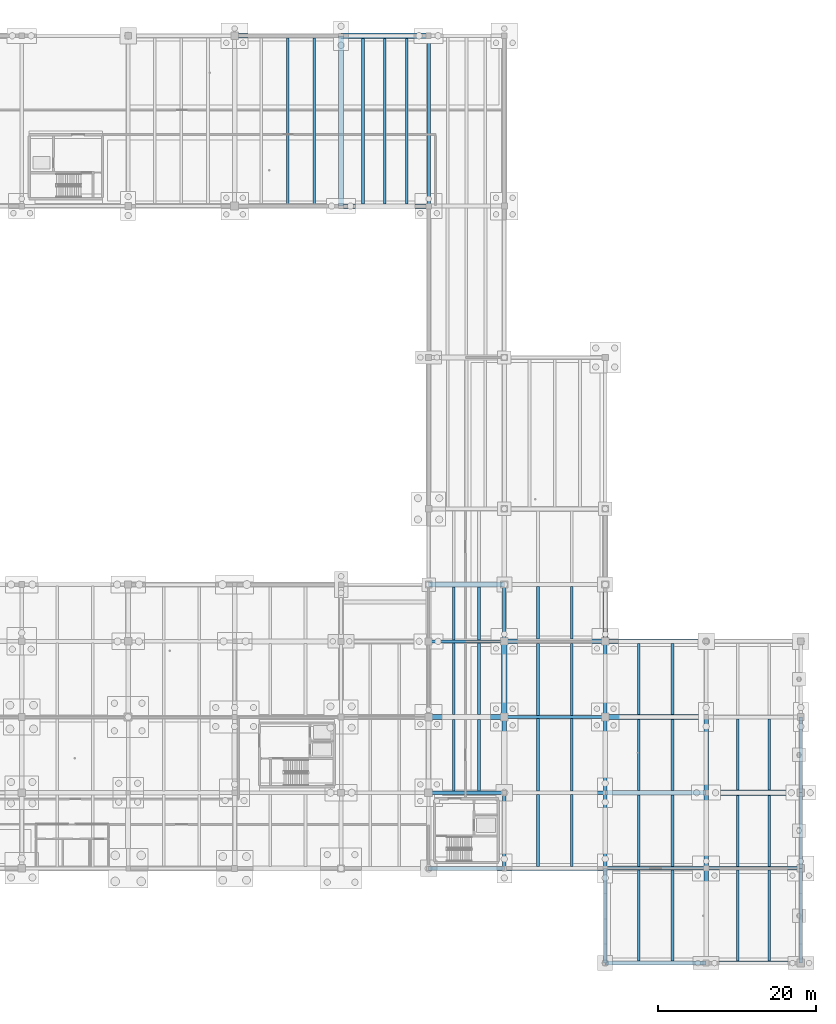
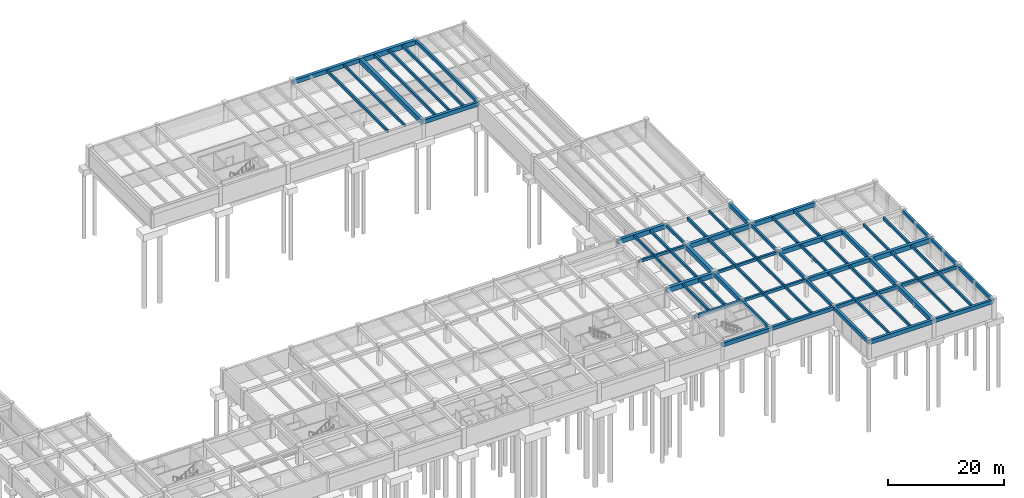
# One storey, part 12 of 41: 70 beams.
"""IFC4 building model written with IfcOpenShell, lengths in metres."""

from ifc_helpers import new_model, si_unit, direction, frame, origin, origin_2d, place, context, subcontext, project, spatial, rectangle, extrude, material, material_profile, profile_set, type_object, element, save


model = new_model("IFC4")

# Units and contexts
model_context = context("Model", 3, precision=1e-05, world=origin(), true_north=direction((0.0, 1.0)))
body_context = subcontext(model_context, "Body", "Model", "MODEL_VIEW")
ifc_project = project(units=[si_unit("LENGTHUNIT", "METRE"), si_unit("AREAUNIT", "SQUARE_METRE"), si_unit("VOLUMEUNIT", "CUBIC_METRE"), si_unit("PLANEANGLEUNIT", "RADIAN"), si_unit("MASSUNIT", "GRAM", prefix="KILO")], contexts=[model_context])

# Site, building, storey
site_placement = place(None, origin())
site = spatial("IfcSite", under=ifc_project, at=site_placement, CompositionType="ELEMENT")
building_placement = place(site_placement, origin())
building = spatial("IfcBuilding", under=site, at=building_placement, Name="Fikremerkos Civic Library", CompositionType="ELEMENT")
storey_placement = place(building_placement, frame((0.0, 0.0, -8.39990234375)))
storey = spatial("IfcBuildingStorey", under=building, at=storey_placement, Name="B02", CompositionType="ELEMENT", Elevation=-8.39990234375)

# Beams
ifc_material_1 = material(Name="Concrete C40/50", Category="concrete")
ifc_material_profile_1 = material_profile(ifc_material_1, rectangle(XDim=0.35009765625, YDim=0.60009765625, at=origin_2d()), Name="RC 350x600")
ifc_profile_set_1 = profile_set([ifc_material_profile_1], Name="Concrete C40/50")
beam_type_1 = type_object("IfcBeamType", Name="Floor joist JS-01 RC 350x600", PredefinedType="JOIST", material=ifc_profile_set_1)
beam_1_placement = place(storey_placement, frame((106.949951171875, 96.27490234375, 3.599853515625), z_axis=(0.0, 1.0, 0.0), x_axis=(-1.0, 0.0, 0.0)))
element("IfcBeam", 1, at=beam_1_placement, inside=storey, type_object=beam_type_1, Name="Floor joist JS-01 B02 #81", PredefinedType="JOIST", context=body_context, shape_type="SweptSolid", body=[
    extrude(rectangle(XDim=0.35009765625, YDim=0.60009765625, at=origin_2d()), origin(), (0.0, 0.0, 1.0), 21.025146484375),
])
for number, where, z_axis, x_axis, name in (
    (2, (116.47509765625, 96.27490234375, 3.599853515625), (0.0, 1.0, 0.0), (-1.0, 0.0, 0.0), "Floor joist JS-01 B02 #89"),
    (3, (122.02490234375, 96.27490234375, 3.599853515625), (0.0, 1.0, 0.0), (-1.0, 0.0, 0.0), "Floor joist JS-01 B02 #91"),
):
    element("IfcBeam", number, at=place(storey_placement, frame(where, z_axis=z_axis, x_axis=x_axis)), inside=storey, type_object=beam_type_1, Name=name, PredefinedType="JOIST", context=body_context, shape_type="SweptSolid", body=[
        extrude(rectangle(XDim=0.35009765625, YDim=0.60009765625, at=origin_2d()), origin(), (0.0, 0.0, 1.0), 21.0),
    ])
beam_2_placement = place(storey_placement, frame((131.199951171875, 21.824951171875, 3.579833984375), z_axis=(0.0, 1.0, 0.0), x_axis=(-1.0, 0.0, 0.0)))
element("IfcBeam", 4, at=beam_2_placement, inside=storey, type_object=beam_type_1, Name="Floor joist JS-01 B02 #93", PredefinedType="JOIST", context=body_context, shape_type="SweptSolid", body=[
    extrude(rectangle(XDim=0.35009765625, YDim=0.60009765625, at=origin_2d()), origin(), (0.0, 0.0, 1.0), 9.050048828125),
])
beam_3_placement = place(storey_placement, frame((131.199951171875, 31.52490234375, 3.579833984375), z_axis=(0.0, 1.0, 0.0), x_axis=(-1.0, 0.0, 0.0)))
element("IfcBeam", 5, at=beam_3_placement, inside=storey, type_object=beam_type_1, Name="Floor joist JS-01 B02 #95", PredefinedType="JOIST", context=body_context, shape_type="SweptSolid", body=[
    extrude(rectangle(XDim=0.35009765625, YDim=0.60009765625, at=origin_2d()), origin(), (0.0, 0.0, 1.0), 9.0751953125),
])
beam_4_placement = place(storey_placement, frame((131.199951171875, 41.0, 3.599853515625), z_axis=(0.0, 1.0, 0.0), x_axis=(-1.0, 0.0, 0.0)))
element("IfcBeam", 6, at=beam_4_placement, inside=storey, type_object=beam_type_1, Name="Floor joist JS-01 B02 #97", PredefinedType="JOIST", context=body_context, shape_type="SweptSolid", body=[
    extrude(rectangle(XDim=0.35009765625, YDim=0.60009765625, at=origin_2d()), origin(), (0.0, 0.0, 1.0), 6.699951171875),
])
beam_5_placement = place(storey_placement, frame((138.666748046875, 12.25, 3.579833984375), z_axis=(0.0, 1.0, 0.0), x_axis=(-1.0, 0.0, 0.0)))
element("IfcBeam", 7, at=beam_5_placement, inside=storey, type_object=beam_type_1, Name="Floor joist JS-01 B02 #109", PredefinedType="JOIST", context=body_context, shape_type="SweptSolid", body=[
    extrude(rectangle(XDim=0.35009765625, YDim=0.60009765625, at=origin_2d()), origin(), (0.0, 0.0, 1.0), 9.14990234375),
])
beam_6_placement = place(storey_placement, frame((138.666748046875, 21.800048828125, 3.579833984375), z_axis=(0.0, 1.0, 0.0), x_axis=(-1.0, 0.0, 0.0)))
element("IfcBeam", 8, at=beam_6_placement, inside=storey, type_object=beam_type_1, Name="Floor joist JS-01 B02 #111", PredefinedType="JOIST", context=body_context, shape_type="SweptSolid", body=[
    extrude(rectangle(XDim=0.35009765625, YDim=0.60009765625, at=origin_2d()), origin(), (0.0, 0.0, 1.0), 9.199951171875),
])
beam_7_placement = place(storey_placement, frame((138.666748046875, 31.39990234375, 3.579833984375), z_axis=(0.0, 1.0, 0.0), x_axis=(-1.0, 0.0, 0.0)))
element("IfcBeam", 9, at=beam_7_placement, inside=storey, type_object=beam_type_1, Name="Floor joist JS-01 B02 #113", PredefinedType="JOIST", context=body_context, shape_type="SweptSolid", body=[
    extrude(rectangle(XDim=0.35009765625, YDim=0.60009765625, at=origin_2d()), origin(), (0.0, 0.0, 1.0), 9.10009765625),
])
beam_8_placement = place(storey_placement, frame((138.666748046875, 41.10009765625, 3.599853515625), z_axis=(0.0, 1.0, 0.0), x_axis=(-1.0, 0.0, 0.0)))
element("IfcBeam", 10, at=beam_8_placement, inside=storey, type_object=beam_type_1, Name="Floor joist JS-01 B02 #115", PredefinedType="JOIST", context=body_context, shape_type="SweptSolid", body=[
    extrude(rectangle(XDim=0.35009765625, YDim=0.60009765625, at=origin_2d()), origin(), (0.0, 0.0, 1.0), 6.625),
])
beam_9_placement = place(storey_placement, frame((155.7333984375, 0.27490234375, 3.599853515625), z_axis=(0.0, 1.0, 0.0), x_axis=(-1.0, 0.0, 0.0)))
element("IfcBeam", 11, at=beam_9_placement, inside=storey, type_object=beam_type_1, Name="Floor joist JS-01 B02 #123", PredefinedType="JOIST", context=body_context, shape_type="SweptSolid", body=[
    extrude(rectangle(XDim=0.35009765625, YDim=0.60009765625, at=origin_2d()), origin(), (0.0, 0.0, 1.0), 11.5),
])
beam_10_placement = place(storey_placement, frame((155.7333984375, 12.22509765625, 3.579833984375), z_axis=(0.0, 1.0, 0.0), x_axis=(-1.0, 0.0, 0.0)))
element("IfcBeam", 12, at=beam_10_placement, inside=storey, type_object=beam_type_1, Name="Floor joist JS-01 B02 #125", PredefinedType="JOIST", context=body_context, shape_type="SweptSolid", body=[
    extrude(rectangle(XDim=0.35009765625, YDim=0.60009765625, at=origin_2d()), origin(), (0.0, 0.0, 1.0), 9.074951171875),
])
beam_11_placement = place(storey_placement, frame((155.7333984375, 21.89990234375, 3.579833984375), z_axis=(0.0, 1.0, 0.0), x_axis=(-1.0, 0.0, 0.0)))
element("IfcBeam", 13, at=beam_11_placement, inside=storey, type_object=beam_type_1, Name="Floor joist JS-01 B02 #127", PredefinedType="JOIST", context=body_context, shape_type="SweptSolid", body=[
    extrude(rectangle(XDim=0.35009765625, YDim=0.60009765625, at=origin_2d()), origin(), (0.0, 0.0, 1.0), 9.0),
])
beam_12_placement = place(storey_placement, frame((155.7333984375, 31.5, 3.579833984375), z_axis=(0.0, 1.0, 0.0), x_axis=(-1.0, 0.0, 0.0)))
element("IfcBeam", 14, at=beam_12_placement, inside=storey, type_object=beam_type_1, Name="Floor joist JS-01 B02 #129", PredefinedType="JOIST", context=body_context, shape_type="SweptSolid", body=[
    extrude(rectangle(XDim=0.35009765625, YDim=0.60009765625, at=origin_2d()), origin(), (0.0, 0.0, 1.0), 9.02490234375),
])
beam_13_placement = place(storey_placement, frame((168.0, 0.25, 3.599853515625), z_axis=(0.0, 1.0, 0.0), x_axis=(-1.0, 0.0, 0.0)))
element("IfcBeam", 15, at=beam_13_placement, inside=storey, type_object=beam_type_1, Name="Floor joist JS-01 B02 #131", PredefinedType="JOIST", context=body_context, shape_type="SweptSolid", body=[
    extrude(rectangle(XDim=0.35009765625, YDim=0.60009765625, at=origin_2d()), origin(), (0.0, 0.0, 1.0), 11.52490234375),
])
beam_14_placement = place(storey_placement, frame((168.0, 12.22509765625, 3.579833984375), z_axis=(0.0, 1.0, 0.0), x_axis=(-1.0, 0.0, 0.0)))
element("IfcBeam", 16, at=beam_14_placement, inside=storey, type_object=beam_type_1, Name="Floor joist JS-01 B02 #133", PredefinedType="JOIST", context=body_context, shape_type="SweptSolid", body=[
    extrude(rectangle(XDim=0.35009765625, YDim=0.60009765625, at=origin_2d()), origin(), (0.0, 0.0, 1.0), 9.0498046875),
])
beam_15_placement = place(storey_placement, frame((168.0, 21.925048828125, 3.579833984375), z_axis=(0.0, 1.0, 0.0), x_axis=(-1.0, 0.0, 0.0)))
element("IfcBeam", 17, at=beam_15_placement, inside=storey, type_object=beam_type_1, Name="Floor joist JS-01 B02 #135", PredefinedType="JOIST", context=body_context, shape_type="SweptSolid", body=[
    extrude(rectangle(XDim=0.35009765625, YDim=0.60009765625, at=origin_2d()), origin(), (0.0, 0.0, 1.0), 9.0),
])
ifc_material_profile_2 = material_profile(ifc_material_1, rectangle(XDim=0.320068359375, YDim=0.550048828125, at=origin_2d()), Name="RC 320x550")
ifc_profile_set_2 = profile_set([ifc_material_profile_2], Name="Concrete C40/50")
beam_type_2 = type_object("IfcBeamType", Name="Floor joist JS-02 RC 320x550", PredefinedType="JOIST", material=ifc_profile_set_2)
beam_16_placement = place(storey_placement, frame((110.324951171875, 96.27490234375, 3.625), z_axis=(0.0, 1.0, 0.0), x_axis=(-1.0, 0.0, 0.0)))
element("IfcBeam", 18, at=beam_16_placement, inside=storey, type_object=beam_type_2, Name="Floor joist JS-02 B02 #82", PredefinedType="JOIST", context=body_context, shape_type="SweptSolid", body=[
    extrude(rectangle(XDim=0.320068359375, YDim=0.550048828125, at=origin_2d()), origin(), (0.0, 0.0, 1.0), 21.025146484375),
])
beam_17_placement = place(storey_placement, frame((119.25, 96.27490234375, 3.625), z_axis=(0.0, 1.0, 0.0), x_axis=(-1.0, 0.0, 0.0)))
element("IfcBeam", 19, at=beam_17_placement, inside=storey, type_object=beam_type_2, Name="Floor joist JS-02 B02 #90", PredefinedType="JOIST", context=body_context, shape_type="SweptSolid", body=[
    extrude(rectangle(XDim=0.320068359375, YDim=0.550048828125, at=origin_2d()), origin(), (0.0, 0.0, 1.0), 21.0),
])
beam_18_placement = place(storey_placement, frame((128.0, 21.824951171875, 3.60498046875), z_axis=(0.0, 1.0, 0.0), x_axis=(-1.0, 0.0, 0.0)))
element("IfcBeam", 20, at=beam_18_placement, inside=storey, type_object=beam_type_2, Name="Floor joist JS-02 B02 #92", PredefinedType="JOIST", context=body_context, shape_type="SweptSolid", body=[
    extrude(rectangle(XDim=0.320068359375, YDim=0.550048828125, at=origin_2d()), origin(), (0.0, 0.0, 1.0), 9.050048828125),
])
beam_19_placement = place(storey_placement, frame((128.0, 31.52490234375, 3.60498046875), z_axis=(0.0, 1.0, 0.0), x_axis=(-1.0, 0.0, 0.0)))
element("IfcBeam", 21, at=beam_19_placement, inside=storey, type_object=beam_type_2, Name="Floor joist JS-02 B02 #94", PredefinedType="JOIST", context=body_context, shape_type="SweptSolid", body=[
    extrude(rectangle(XDim=0.320068359375, YDim=0.550048828125, at=origin_2d()), origin(), (0.0, 0.0, 1.0), 9.0751953125),
])
beam_20_placement = place(storey_placement, frame((128.0, 41.0, 3.625), z_axis=(0.0, 1.0, 0.0), x_axis=(-1.0, 0.0, 0.0)))
element("IfcBeam", 22, at=beam_20_placement, inside=storey, type_object=beam_type_2, Name="Floor joist JS-02 B02 #96", PredefinedType="JOIST", context=body_context, shape_type="SweptSolid", body=[
    extrude(rectangle(XDim=0.320068359375, YDim=0.550048828125, at=origin_2d()), origin(), (0.0, 0.0, 1.0), 6.699951171875),
])
beam_21_placement = place(storey_placement, frame((142.933349609375, 12.25, 3.60498046875), z_axis=(0.0, 1.0, 0.0), x_axis=(-1.0, 0.0, 0.0)))
element("IfcBeam", 23, at=beam_21_placement, inside=storey, type_object=beam_type_2, Name="Floor joist JS-02 B02 #110", PredefinedType="JOIST", context=body_context, shape_type="SweptSolid", body=[
    extrude(rectangle(XDim=0.320068359375, YDim=0.550048828125, at=origin_2d()), origin(), (0.0, 0.0, 1.0), 9.14990234375),
])
beam_22_placement = place(storey_placement, frame((142.933349609375, 21.800048828125, 3.60498046875), z_axis=(0.0, 1.0, 0.0), x_axis=(-1.0, 0.0, 0.0)))
element("IfcBeam", 24, at=beam_22_placement, inside=storey, type_object=beam_type_2, Name="Floor joist JS-02 B02 #112", PredefinedType="JOIST", context=body_context, shape_type="SweptSolid", body=[
    extrude(rectangle(XDim=0.320068359375, YDim=0.550048828125, at=origin_2d()), origin(), (0.0, 0.0, 1.0), 9.199951171875),
])
beam_23_placement = place(storey_placement, frame((142.933349609375, 31.39990234375, 3.60498046875), z_axis=(0.0, 1.0, 0.0), x_axis=(-1.0, 0.0, 0.0)))
element("IfcBeam", 25, at=beam_23_placement, inside=storey, type_object=beam_type_2, Name="Floor joist JS-02 B02 #114", PredefinedType="JOIST", context=body_context, shape_type="SweptSolid", body=[
    extrude(rectangle(XDim=0.320068359375, YDim=0.550048828125, at=origin_2d()), origin(), (0.0, 0.0, 1.0), 9.10009765625),
])
beam_24_placement = place(storey_placement, frame((142.933349609375, 41.10009765625, 3.625), z_axis=(0.0, 1.0, 0.0), x_axis=(-1.0, 0.0, 0.0)))
element("IfcBeam", 26, at=beam_24_placement, inside=storey, type_object=beam_type_2, Name="Floor joist JS-02 B02 #116", PredefinedType="JOIST", context=body_context, shape_type="SweptSolid", body=[
    extrude(rectangle(XDim=0.320068359375, YDim=0.550048828125, at=origin_2d()), origin(), (0.0, 0.0, 1.0), 6.625),
])
beam_25_placement = place(storey_placement, frame((151.466796875, 0.27490234375, 3.625), z_axis=(0.0, 1.0, 0.0), x_axis=(-1.0, 0.0, 0.0)))
element("IfcBeam", 27, at=beam_25_placement, inside=storey, type_object=beam_type_2, Name="Floor joist JS-02 B02 #122", PredefinedType="JOIST", context=body_context, shape_type="SweptSolid", body=[
    extrude(rectangle(XDim=0.320068359375, YDim=0.550048828125, at=origin_2d()), origin(), (0.0, 0.0, 1.0), 11.5),
])
beam_26_placement = place(storey_placement, frame((151.466796875, 12.22509765625, 3.60498046875), z_axis=(0.0, 1.0, 0.0), x_axis=(-1.0, 0.0, 0.0)))
element("IfcBeam", 28, at=beam_26_placement, inside=storey, type_object=beam_type_2, Name="Floor joist JS-02 B02 #124", PredefinedType="JOIST", context=body_context, shape_type="SweptSolid", body=[
    extrude(rectangle(XDim=0.320068359375, YDim=0.550048828125, at=origin_2d()), origin(), (0.0, 0.0, 1.0), 9.074951171875),
])
beam_27_placement = place(storey_placement, frame((151.466796875, 21.89990234375, 3.60498046875), z_axis=(0.0, 1.0, 0.0), x_axis=(-1.0, 0.0, 0.0)))
element("IfcBeam", 29, at=beam_27_placement, inside=storey, type_object=beam_type_2, Name="Floor joist JS-02 B02 #126", PredefinedType="JOIST", context=body_context, shape_type="SweptSolid", body=[
    extrude(rectangle(XDim=0.320068359375, YDim=0.550048828125, at=origin_2d()), origin(), (0.0, 0.0, 1.0), 9.0),
])
beam_28_placement = place(storey_placement, frame((151.466796875, 31.5, 3.60498046875), z_axis=(0.0, 1.0, 0.0), x_axis=(-1.0, 0.0, 0.0)))
element("IfcBeam", 30, at=beam_28_placement, inside=storey, type_object=beam_type_2, Name="Floor joist JS-02 B02 #128", PredefinedType="JOIST", context=body_context, shape_type="SweptSolid", body=[
    extrude(rectangle(XDim=0.320068359375, YDim=0.550048828125, at=origin_2d()), origin(), (0.0, 0.0, 1.0), 9.02490234375),
])
beam_29_placement = place(storey_placement, frame((164.0, 0.25, 3.625), z_axis=(0.0, 1.0, 0.0), x_axis=(-1.0, 0.0, 0.0)))
element("IfcBeam", 31, at=beam_29_placement, inside=storey, type_object=beam_type_2, Name="Floor joist JS-02 B02 #130", PredefinedType="JOIST", context=body_context, shape_type="SweptSolid", body=[
    extrude(rectangle(XDim=0.320068359375, YDim=0.550048828125, at=origin_2d()), origin(), (0.0, 0.0, 1.0), 11.52490234375),
])
beam_30_placement = place(storey_placement, frame((164.0, 12.22509765625, 3.60498046875), z_axis=(0.0, 1.0, 0.0), x_axis=(-1.0, 0.0, 0.0)))
element("IfcBeam", 32, at=beam_30_placement, inside=storey, type_object=beam_type_2, Name="Floor joist JS-02 B02 #132", PredefinedType="JOIST", context=body_context, shape_type="SweptSolid", body=[
    extrude(rectangle(XDim=0.320068359375, YDim=0.550048828125, at=origin_2d()), origin(), (0.0, 0.0, 1.0), 9.0498046875),
])
beam_31_placement = place(storey_placement, frame((164.0, 21.925048828125, 3.60498046875), z_axis=(0.0, 1.0, 0.0), x_axis=(-1.0, 0.0, 0.0)))
element("IfcBeam", 33, at=beam_31_placement, inside=storey, type_object=beam_type_2, Name="Floor joist JS-02 B02 #134", PredefinedType="JOIST", context=body_context, shape_type="SweptSolid", body=[
    extrude(rectangle(XDim=0.320068359375, YDim=0.550048828125, at=origin_2d()), origin(), (0.0, 0.0, 1.0), 9.0),
])
ifc_material_profile_3 = material_profile(ifc_material_1, rectangle(XDim=0.60009765625, YDim=0.949951171875, at=origin_2d()), Name="RC 600x950")
ifc_profile_set_3 = profile_set([ifc_material_profile_3], Name="Concrete C40/50")
beam_type_3 = type_object("IfcBeamType", Name="Primary girder BM-01 RC 600x950", PredefinedType="BEAM", material=ifc_profile_set_3)
for number, where, z_axis, x_axis, name in (
    (34, (147.199951171875, 31.199951171875, 3.40478515625), (1.0, 0.0, 0.0), (0.0, 1.0, 0.0), "Primary girder BM-01 B02 grid G"),
    (35, (134.39990234375, 40.800048828125, 3.40478515625), (1.0, 0.0, 0.0), (0.0, 1.0, 0.0), "Primary girder BM-01 B02 grid H"),
):
    element("IfcBeam", number, at=place(storey_placement, frame(where, z_axis=z_axis, x_axis=x_axis)), inside=storey, type_object=beam_type_3, Name=name, PredefinedType="BEAM", context=body_context, shape_type="SweptSolid", body=[
        extrude(rectangle(XDim=0.60009765625, YDim=0.949951171875, at=origin_2d()), origin(), (0.0, 0.0, 1.0), 12.800048828125),
    ])
beam_32_placement = place(storey_placement, frame((124.800048828125, 48.0, 3.4248046875), z_axis=(1.0, 0.0, 0.0), x_axis=(0.0, 1.0, 0.0)))
element("IfcBeam", 36, at=beam_32_placement, inside=storey, type_object=beam_type_3, Name="Primary girder BM-01 B02 grid J", PredefinedType="BEAM", context=body_context, shape_type="SweptSolid", body=[
    extrude(rectangle(XDim=0.60009765625, YDim=0.949951171875, at=origin_2d()), origin(), (0.0, 0.0, 1.0), 9.599853515625),
])
beam_33_placement = place(storey_placement, frame((160.0, 0.0, 3.4248046875), z_axis=(0.0, 1.0, 0.0), x_axis=(-1.0, 0.0, 0.0)))
element("IfcBeam", 37, at=beam_33_placement, inside=storey, type_object=beam_type_3, Name="Primary girder BM-01 B02 grid 14", PredefinedType="BEAM", context=body_context, shape_type="SweptSolid", body=[
    extrude(rectangle(XDim=0.60009765625, YDim=0.949951171875, at=origin_2d()), origin(), (0.0, 0.0, 1.0), 12.0),
])
ifc_material_profile_4 = material_profile(ifc_material_1, rectangle(XDim=0.550048828125, YDim=0.89990234375, at=origin_2d()), Name="RC 550x900")
ifc_profile_set_4 = profile_set([ifc_material_profile_4], Name="Concrete C40/50")
beam_type_4 = type_object("IfcBeamType", Name="Primary girder BM-02 RC 550x900", PredefinedType="BEAM", material=ifc_profile_set_4)
beam_34_placement = place(storey_placement, frame((147.199951171875, 40.800048828125, 3.429931640625), z_axis=(1.0, 0.0, 0.0), x_axis=(0.0, 1.0, 0.0)))
element("IfcBeam", 38, at=beam_34_placement, inside=storey, type_object=beam_type_4, Name="Primary girder BM-02 B02 grid H", PredefinedType="BEAM", context=body_context, shape_type="SweptSolid", body=[
    extrude(rectangle(XDim=0.550048828125, YDim=0.89990234375, at=origin_2d()), origin(), (0.0, 0.0, 1.0), 12.800048828125),
])
beam_35_placement = place(storey_placement, frame((160.0, 12.0, 3.429931640625), z_axis=(0.0, 1.0, 0.0), x_axis=(-1.0, 0.0, 0.0)))
element("IfcBeam", 39, at=beam_35_placement, inside=storey, type_object=beam_type_4, Name="Primary girder BM-02 B02 grid 14", PredefinedType="BEAM", context=body_context, shape_type="SweptSolid", body=[
    extrude(rectangle(XDim=0.550048828125, YDim=0.89990234375, at=origin_2d()), origin(), (0.0, 0.0, 1.0), 9.60009765625),
])
ifc_material_profile_5 = material_profile(ifc_material_1, rectangle(XDim=0.550048828125, YDim=0.85009765625, at=origin_2d()), Name="RC 550x850")
ifc_profile_set_5 = profile_set([ifc_material_profile_5], Name="Concrete C40/50")
beam_type_5 = type_object("IfcBeamType", Name="Primary girder BM-03 RC 550x850", PredefinedType="BEAM", material=ifc_profile_set_5)
beam_36_placement = place(storey_placement, frame((147.199951171875, 0.0, 3.474853515625), z_axis=(1.0, 0.0, 0.0), x_axis=(0.0, 1.0, 0.0)))
element("IfcBeam", 40, at=beam_36_placement, inside=storey, type_object=beam_type_5, Name="Primary girder BM-03 B02 grid A", PredefinedType="BEAM", context=body_context, shape_type="SweptSolid", body=[
    extrude(rectangle(XDim=0.550048828125, YDim=0.85009765625, at=origin_2d()), origin(), (0.0, 0.0, 1.0), 12.800048828125),
])
beam_37_placement = place(storey_placement, frame((113.699951171875, 96.0, 3.474853515625), z_axis=(1.0, 0.0, 0.0), x_axis=(0.0, 1.0, 0.0)))
element("IfcBeam", 41, at=beam_37_placement, inside=storey, type_object=beam_type_5, Name="Primary girder BM-03 B02 grid M", PredefinedType="BEAM", context=body_context, shape_type="SweptSolid", body=[
    extrude(rectangle(XDim=0.550048828125, YDim=0.85009765625, at=origin_2d()), origin(), (0.0, 0.0, 1.0), 11.10009765625),
])
beam_38_placement = place(storey_placement, frame((160.0, 21.60009765625, 3.454833984375), z_axis=(0.0, 1.0, 0.0), x_axis=(-1.0, 0.0, 0.0)))
element("IfcBeam", 42, at=beam_38_placement, inside=storey, type_object=beam_type_5, Name="Primary girder BM-03 B02 grid 14", PredefinedType="BEAM", context=body_context, shape_type="SweptSolid", body=[
    extrude(rectangle(XDim=0.550048828125, YDim=0.85009765625, at=origin_2d()), origin(), (0.0, 0.0, 1.0), 9.599853515625),
])
ifc_material_profile_6 = material_profile(ifc_material_1, rectangle(XDim=0.5, YDim=0.800048828125, at=origin_2d()), Name="RC 500x800")
ifc_profile_set_6 = profile_set([ifc_material_profile_6], Name="Concrete C40/50")
beam_type_6 = type_object("IfcBeamType", Name="Primary girder BM-04 RC 500x800", PredefinedType="BEAM", material=ifc_profile_set_6)
beam_39_placement = place(storey_placement, frame((160.0, 0.0, 3.5), z_axis=(1.0, 0.0, 0.0), x_axis=(0.0, 1.0, 0.0)))
element("IfcBeam", 43, at=beam_39_placement, inside=storey, type_object=beam_type_6, Name="Primary girder BM-04 B02 grid A", PredefinedType="BEAM", context=body_context, shape_type="SweptSolid", body=[
    extrude(rectangle(XDim=0.5, YDim=0.800048828125, at=origin_2d()), origin(), (0.0, 0.0, 1.0), 12.0),
])
beam_40_placement = place(storey_placement, frame((124.800048828125, 12.0, 3.47998046875), z_axis=(1.0, 0.0, 0.0), x_axis=(0.0, 1.0, 0.0)))
element("IfcBeam", 44, at=beam_40_placement, inside=storey, type_object=beam_type_6, Name="Primary girder BM-04 B02 grid E", PredefinedType="BEAM", context=body_context, shape_type="SweptSolid", body=[
    extrude(rectangle(XDim=0.5, YDim=0.800048828125, at=origin_2d()), origin(), (0.0, 0.0, 1.0), 9.599853515625),
])
ifc_material_profile_7 = material_profile(ifc_material_1, rectangle(XDim=0.5, YDim=0.75, at=origin_2d()), Name="RC 500x750")
ifc_profile_set_7 = profile_set([ifc_material_profile_7], Name="Concrete C40/50")
beam_type_7 = type_object("IfcBeamType", Name="Primary girder BM-05 RC 500x750", PredefinedType="BEAM", material=ifc_profile_set_7)
beam_41_placement = place(storey_placement, frame((134.39990234375, 12.0, 3.5048828125), z_axis=(1.0, 0.0, 0.0), x_axis=(0.0, 1.0, 0.0)))
element("IfcBeam", 45, at=beam_41_placement, inside=storey, type_object=beam_type_7, Name="Primary girder BM-05 B02 grid E", PredefinedType="BEAM", context=body_context, shape_type="SweptSolid", body=[
    extrude(rectangle(XDim=0.5, YDim=0.75, at=origin_2d()), origin(), (0.0, 0.0, 1.0), 12.800048828125),
])
for number, where, z_axis, x_axis, name in (
    (46, (147.199951171875, 0.0, 3.52490234375), (0.0, 1.0, 0.0), (-1.0, 0.0, 0.0), "Primary girder BM-05 B02 grid 13"),
    (47, (172.0, 0.0, 3.52490234375), (0.0, 1.0, 0.0), (-1.0, 0.0, 0.0), "Primary girder BM-05 B02 grid 15"),
):
    element("IfcBeam", number, at=place(storey_placement, frame(where, z_axis=z_axis, x_axis=x_axis)), inside=storey, type_object=beam_type_7, Name=name, PredefinedType="BEAM", context=body_context, shape_type="SweptSolid", body=[
        extrude(rectangle(XDim=0.5, YDim=0.75, at=origin_2d()), origin(), (0.0, 0.0, 1.0), 12.0),
    ])
ifc_material_profile_8 = material_profile(ifc_material_1, rectangle(XDim=0.449951171875, YDim=0.699951171875, at=origin_2d()), Name="RC 450x700")
ifc_profile_set_8 = profile_set([ifc_material_profile_8], Name="Concrete C40/50")
beam_type_8 = type_object("IfcBeamType", Name="Primary girder BM-06 RC 450x700", PredefinedType="BEAM", material=ifc_profile_set_8)
beam_42_placement = place(storey_placement, frame((147.199951171875, 12.0, 3.52978515625), z_axis=(1.0, 0.0, 0.0), x_axis=(0.0, 1.0, 0.0)))
element("IfcBeam", 48, at=beam_42_placement, inside=storey, type_object=beam_type_8, Name="Primary girder BM-06 B02 grid E", PredefinedType="BEAM", context=body_context, shape_type="SweptSolid", body=[
    extrude(rectangle(XDim=0.449951171875, YDim=0.699951171875, at=origin_2d()), origin(), (0.0, 0.0, 1.0), 12.800048828125),
])
for number, where, z_axis, x_axis, name in (
    (49, (147.199951171875, 12.0, 3.52978515625), (0.0, 1.0, 0.0), (-1.0, 0.0, 0.0), "Primary girder BM-06 B02 grid 13"),
    (50, (172.0, 12.0, 3.52978515625), (0.0, 1.0, 0.0), (-1.0, 0.0, 0.0), "Primary girder BM-06 B02 grid 15"),
):
    element("IfcBeam", number, at=place(storey_placement, frame(where, z_axis=z_axis, x_axis=x_axis)), inside=storey, type_object=beam_type_8, Name=name, PredefinedType="BEAM", context=body_context, shape_type="SweptSolid", body=[
        extrude(rectangle(XDim=0.449951171875, YDim=0.699951171875, at=origin_2d()), origin(), (0.0, 0.0, 1.0), 9.60009765625),
    ])
ifc_material_profile_9 = material_profile(ifc_material_1, rectangle(XDim=0.449951171875, YDim=0.64990234375, at=origin_2d()), Name="RC 450x650")
ifc_profile_set_9 = profile_set([ifc_material_profile_9], Name="Concrete C40/50")
beam_type_9 = type_object("IfcBeamType", Name="Primary girder BM-07 RC 450x650", PredefinedType="BEAM", material=ifc_profile_set_9)
beam_43_placement = place(storey_placement, frame((160.0, 12.0, 3.554931640625), z_axis=(1.0, 0.0, 0.0), x_axis=(0.0, 1.0, 0.0)))
element("IfcBeam", 51, at=beam_43_placement, inside=storey, type_object=beam_type_9, Name="Primary girder BM-07 B02 grid E", PredefinedType="BEAM", context=body_context, shape_type="SweptSolid", body=[
    extrude(rectangle(XDim=0.449951171875, YDim=0.64990234375, at=origin_2d()), origin(), (0.0, 0.0, 1.0), 12.0),
])
beam_44_placement = place(storey_placement, frame((124.800048828125, 21.60009765625, 3.554931640625), z_axis=(1.0, 0.0, 0.0), x_axis=(0.0, 1.0, 0.0)))
element("IfcBeam", 52, at=beam_44_placement, inside=storey, type_object=beam_type_9, Name="Primary girder BM-07 B02 grid F", PredefinedType="BEAM", context=body_context, shape_type="SweptSolid", body=[
    extrude(rectangle(XDim=0.449951171875, YDim=0.64990234375, at=origin_2d()), origin(), (0.0, 0.0, 1.0), 9.599853515625),
])
beam_45_placement = place(storey_placement, frame((124.800048828125, 96.0, 3.574951171875), z_axis=(0.0, 1.0, 0.0), x_axis=(-1.0, 0.0, 0.0)))
element("IfcBeam", 53, at=beam_45_placement, inside=storey, type_object=beam_type_9, Name="Primary girder BM-07 B02 grid 11", PredefinedType="BEAM", context=body_context, shape_type="SweptSolid", body=[
    extrude(rectangle(XDim=0.449951171875, YDim=0.64990234375, at=origin_2d()), origin(), (0.0, 0.0, 1.0), 21.60009765625),
])
for number, where, z_axis, x_axis, name in (
    (54, (147.199951171875, 21.60009765625, 3.554931640625), (0.0, 1.0, 0.0), (-1.0, 0.0, 0.0), "Primary girder BM-07 B02 grid 13"),
    (55, (172.0, 21.60009765625, 3.554931640625), (0.0, 1.0, 0.0), (-1.0, 0.0, 0.0), "Primary girder BM-07 B02 grid 15"),
):
    element("IfcBeam", number, at=place(storey_placement, frame(where, z_axis=z_axis, x_axis=x_axis)), inside=storey, type_object=beam_type_9, Name=name, PredefinedType="BEAM", context=body_context, shape_type="SweptSolid", body=[
        extrude(rectangle(XDim=0.449951171875, YDim=0.64990234375, at=origin_2d()), origin(), (0.0, 0.0, 1.0), 9.599853515625),
    ])
ifc_material_profile_10 = material_profile(ifc_material_1, rectangle(XDim=0.39990234375, YDim=0.60009765625, at=origin_2d()), Name="RC 400x600")
ifc_profile_set_10 = profile_set([ifc_material_profile_10], Name="Concrete C40/50")
beam_type_10 = type_object("IfcBeamType", Name="Primary girder BM-08 RC 400x600", PredefinedType="BEAM", material=ifc_profile_set_10)
beam_46_placement = place(storey_placement, frame((134.39990234375, 21.60009765625, 3.579833984375), z_axis=(1.0, 0.0, 0.0), x_axis=(0.0, 1.0, 0.0)))
element("IfcBeam", 56, at=beam_46_placement, inside=storey, type_object=beam_type_10, Name="Primary girder BM-08 B02 grid F", PredefinedType="BEAM", context=body_context, shape_type="SweptSolid", body=[
    extrude(rectangle(XDim=0.39990234375, YDim=0.60009765625, at=origin_2d()), origin(), (0.0, 0.0, 1.0), 12.800048828125),
])
for number, where, z_axis, x_axis, name in (
    (57, (134.39990234375, 12.0, 3.579833984375), (0.0, 1.0, 0.0), (-1.0, 0.0, 0.0), "Primary girder BM-08 B02 grid 12"),
    (58, (147.199951171875, 31.199951171875, 3.579833984375), (0.0, 1.0, 0.0), (-1.0, 0.0, 0.0), "Primary girder BM-08 B02 grid 13"),
):
    element("IfcBeam", number, at=place(storey_placement, frame(where, z_axis=z_axis, x_axis=x_axis)), inside=storey, type_object=beam_type_10, Name=name, PredefinedType="BEAM", context=body_context, shape_type="SweptSolid", body=[
        extrude(rectangle(XDim=0.39990234375, YDim=0.60009765625, at=origin_2d()), origin(), (0.0, 0.0, 1.0), 9.60009765625),
    ])
ifc_material_profile_11 = material_profile(ifc_material_1, rectangle(XDim=0.60009765625, YDim=0.85009765625, at=origin_2d()), Name="RC 600x850")
ifc_profile_set_11 = profile_set([ifc_material_profile_11], Name="Concrete C40/50")
beam_type_11 = type_object("IfcBeamType", Name="Primary girder BM-24 RC 600x850", PredefinedType="BEAM", material=ifc_profile_set_11)
beam_47_placement = place(storey_placement, frame((147.199951171875, 21.60009765625, 3.454833984375), z_axis=(1.0, 0.0, 0.0), x_axis=(0.0, 1.0, 0.0)))
element("IfcBeam", 59, at=beam_47_placement, inside=storey, type_object=beam_type_11, Name="Primary girder BM-24 B02 grid F", PredefinedType="BEAM", context=body_context, shape_type="SweptSolid", body=[
    extrude(rectangle(XDim=0.60009765625, YDim=0.85009765625, at=origin_2d()), origin(), (0.0, 0.0, 1.0), 12.800048828125),
])
beam_48_placement = place(storey_placement, frame((100.199951171875, 117.60009765625, 3.474853515625), z_axis=(1.0, 0.0, 0.0), x_axis=(0.0, 1.0, 0.0)))
element("IfcBeam", 60, at=beam_48_placement, inside=storey, type_object=beam_type_11, Name="Primary girder BM-24 B02 grid N", PredefinedType="BEAM", context=body_context, shape_type="SweptSolid", body=[
    extrude(rectangle(XDim=0.60009765625, YDim=0.85009765625, at=origin_2d()), origin(), (0.0, 0.0, 1.0), 13.5),
])
beam_49_placement = place(storey_placement, frame((134.39990234375, 21.60009765625, 3.454833984375), z_axis=(0.0, 1.0, 0.0), x_axis=(-1.0, 0.0, 0.0)))
element("IfcBeam", 61, at=beam_49_placement, inside=storey, type_object=beam_type_11, Name="Primary girder BM-24 B02 grid 12", PredefinedType="BEAM", context=body_context, shape_type="SweptSolid", body=[
    extrude(rectangle(XDim=0.60009765625, YDim=0.85009765625, at=origin_2d()), origin(), (0.0, 0.0, 1.0), 9.599853515625),
])
beam_50_placement = place(storey_placement, frame((147.199951171875, 40.800048828125, 3.474853515625), z_axis=(0.0, 1.0, 0.0), x_axis=(-1.0, 0.0, 0.0)))
element("IfcBeam", 62, at=beam_50_placement, inside=storey, type_object=beam_type_11, Name="Primary girder BM-24 B02 grid 13", PredefinedType="BEAM", context=body_context, shape_type="SweptSolid", body=[
    extrude(rectangle(XDim=0.60009765625, YDim=0.85009765625, at=origin_2d()), origin(), (0.0, 0.0, 1.0), 7.199951171875),
])
ifc_material_2 = material(Name="Concrete C45/55", Category="concrete")
ifc_material_profile_12 = material_profile(ifc_material_2, rectangle(XDim=0.64990234375, YDim=1.0, at=origin_2d()), Name="RC 650x1000")
ifc_profile_set_12 = profile_set([ifc_material_profile_12], Name="Concrete C45/55")
beam_type_12 = type_object("IfcBeamType", Name="Primary girder BM-25 RC 650x1000", PredefinedType="BEAM", material=ifc_profile_set_12)
beam_51_placement = place(storey_placement, frame((160.0, 21.60009765625, 3.3798828125), z_axis=(1.0, 0.0, 0.0), x_axis=(0.0, 1.0, 0.0)))
element("IfcBeam", 63, at=beam_51_placement, inside=storey, type_object=beam_type_12, Name="Primary girder BM-25 B02 grid F", PredefinedType="BEAM", context=body_context, shape_type="SweptSolid", body=[
    extrude(rectangle(XDim=0.64990234375, YDim=1.0, at=origin_2d()), origin(), (0.0, 0.0, 1.0), 12.0),
])
beam_52_placement = place(storey_placement, frame((124.800048828125, 31.199951171875, 3.3798828125), z_axis=(1.0, 0.0, 0.0), x_axis=(0.0, 1.0, 0.0)))
element("IfcBeam", 64, at=beam_52_placement, inside=storey, type_object=beam_type_12, Name="Primary girder BM-25 B02 grid G", PredefinedType="BEAM", context=body_context, shape_type="SweptSolid", body=[
    extrude(rectangle(XDim=0.64990234375, YDim=1.0, at=origin_2d()), origin(), (0.0, 0.0, 1.0), 9.599853515625),
])
beam_53_placement = place(storey_placement, frame((113.699951171875, 117.60009765625, 3.39990234375), z_axis=(1.0, 0.0, 0.0), x_axis=(0.0, 1.0, 0.0)))
element("IfcBeam", 65, at=beam_53_placement, inside=storey, type_object=beam_type_12, Name="Primary girder BM-25 B02 grid N", PredefinedType="BEAM", context=body_context, shape_type="SweptSolid", body=[
    extrude(rectangle(XDim=0.64990234375, YDim=1.0, at=origin_2d()), origin(), (0.0, 0.0, 1.0), 11.10009765625),
])
beam_54_placement = place(storey_placement, frame((113.699951171875, 96.0, 3.39990234375), z_axis=(0.0, 1.0, 0.0), x_axis=(-1.0, 0.0, 0.0)))
element("IfcBeam", 66, at=beam_54_placement, inside=storey, type_object=beam_type_12, Name="Primary girder BM-25 B02 grid 10", PredefinedType="BEAM", context=body_context, shape_type="SweptSolid", body=[
    extrude(rectangle(XDim=0.64990234375, YDim=1.0, at=origin_2d()), origin(), (0.0, 0.0, 1.0), 21.60009765625),
])
beam_55_placement = place(storey_placement, frame((134.39990234375, 31.199951171875, 3.3798828125), z_axis=(0.0, 1.0, 0.0), x_axis=(-1.0, 0.0, 0.0)))
element("IfcBeam", 67, at=beam_55_placement, inside=storey, type_object=beam_type_12, Name="Primary girder BM-25 B02 grid 12", PredefinedType="BEAM", context=body_context, shape_type="SweptSolid", body=[
    extrude(rectangle(XDim=0.64990234375, YDim=1.0, at=origin_2d()), origin(), (0.0, 0.0, 1.0), 9.60009765625),
])
ifc_material_profile_13 = material_profile(ifc_material_1, rectangle(XDim=0.39990234375, YDim=0.550048828125, at=origin_2d()), Name="RC 400x550")
ifc_profile_set_13 = profile_set([ifc_material_profile_13], Name="Concrete C40/50")
beam_type_13 = type_object("IfcBeamType", Name="Primary girder BM-26 RC 400x550", PredefinedType="BEAM", material=ifc_profile_set_13)
beam_56_placement = place(storey_placement, frame((134.39990234375, 31.199951171875, 3.60498046875), z_axis=(1.0, 0.0, 0.0), x_axis=(0.0, 1.0, 0.0)))
element("IfcBeam", 68, at=beam_56_placement, inside=storey, type_object=beam_type_13, Name="Primary girder BM-26 B02 grid G", PredefinedType="BEAM", context=body_context, shape_type="SweptSolid", body=[
    extrude(rectangle(XDim=0.39990234375, YDim=0.550048828125, at=origin_2d()), origin(), (0.0, 0.0, 1.0), 12.800048828125),
])
beam_57_placement = place(storey_placement, frame((124.800048828125, 40.800048828125, 3.60498046875), z_axis=(1.0, 0.0, 0.0), x_axis=(0.0, 1.0, 0.0)))
element("IfcBeam", 69, at=beam_57_placement, inside=storey, type_object=beam_type_13, Name="Primary girder BM-26 B02 grid H", PredefinedType="BEAM", context=body_context, shape_type="SweptSolid", body=[
    extrude(rectangle(XDim=0.39990234375, YDim=0.550048828125, at=origin_2d()), origin(), (0.0, 0.0, 1.0), 9.599853515625),
])
beam_58_placement = place(storey_placement, frame((134.39990234375, 40.800048828125, 3.625), z_axis=(0.0, 1.0, 0.0), x_axis=(-1.0, 0.0, 0.0)))
element("IfcBeam", 70, at=beam_58_placement, inside=storey, type_object=beam_type_13, Name="Primary girder BM-26 B02 grid 12", PredefinedType="BEAM", context=body_context, shape_type="SweptSolid", body=[
    extrude(rectangle(XDim=0.39990234375, YDim=0.550048828125, at=origin_2d()), origin(), (0.0, 0.0, 1.0), 7.199951171875),
])

save(model, "model.ifc")
